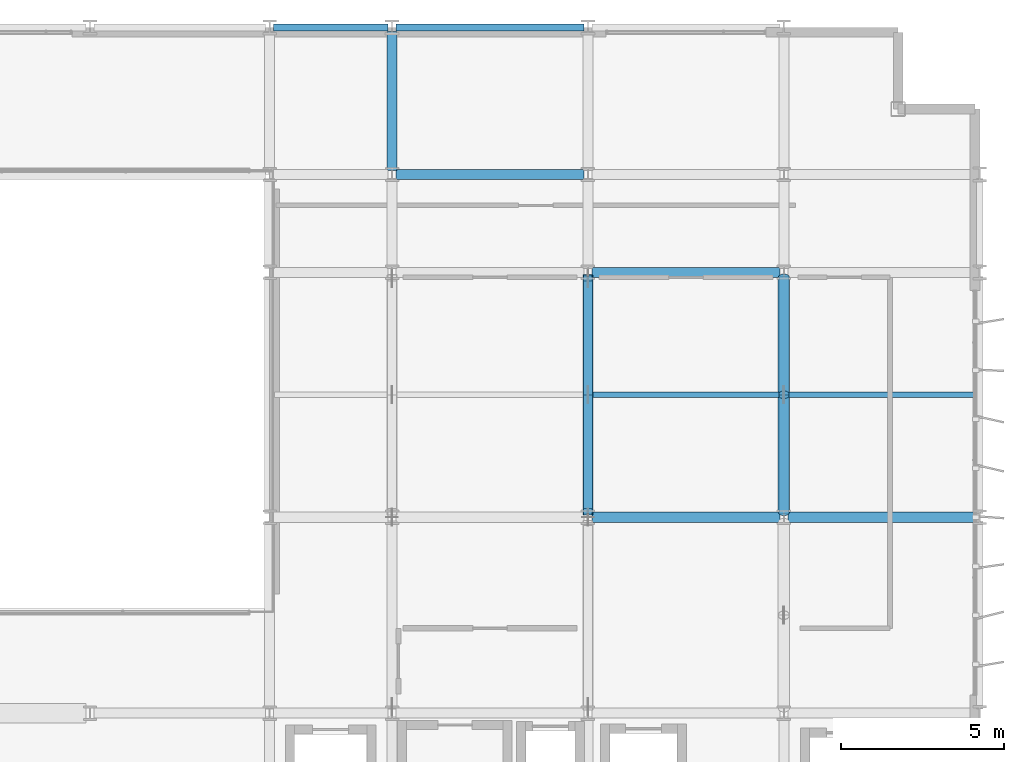
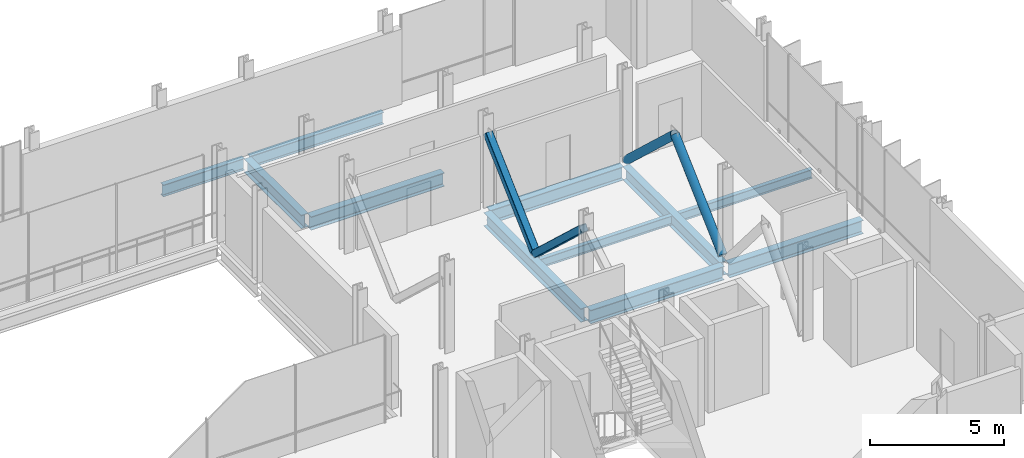
# One storey, part 20 of 32: 11 beams, 4 members.
"""IFC4 building model written with IfcOpenShell, lengths in metres."""

import ifcopenshell
import ifcopenshell.guid

model = None  # the IFC model being written
_history = None  # IfcOwnerHistory: only IFC2X3 demands one
_inside = {}  # id of a spatial element -> (the spatial element, [elements in it])
_under = {}  # id of a project, library or spatial element -> (it, [spatial elements below it])
_declared = {}  # id of a project -> (the project, [libraries it declares])
_typed = {}  # id of a type object -> (the type object, [elements of that type])
_made_of = {}  # id of a material, layer set ... -> (it, [elements and type objects made of it])


def new_model(schema):
    """Start an empty IFC model of exactly this schema.

    Asked for "IFC4X3", IfcOpenShell would pick the latest addendum, in which some entities
    have other attributes; the version numbers below select the first issue.
    IFC2X3 requires an IfcOwnerHistory on every rooted entity: one is made here for all.
    """
    global model, _history
    if schema == "IFC4X3":
        model = ifcopenshell.file(schema_version=(4, 3, 0, 0))
    else:
        model = ifcopenshell.file(schema=schema)
    _inside.clear()
    _under.clear()
    _declared.clear()
    _typed.clear()
    _made_of.clear()
    _history = None
    if model.schema == "IFC2X3":
        org = make("IfcOrganization", Name="unknown")
        user = make(
            "IfcPersonAndOrganization",
            ThePerson=make("IfcPerson", FamilyName="unknown"),
            TheOrganization=org,
        )
        app = make(
            "IfcApplication",
            ApplicationDeveloper=org,
            Version="unknown",
            ApplicationFullName="unknown",
            ApplicationIdentifier="unknown",
        )
        _history = make(
            "IfcOwnerHistory",
            OwningUser=user,
            OwningApplication=app,
            ChangeAction="ADDED",
            CreationDate=0,
        )
    return model


def make(cls, **values):
    """One entity of the class cls with the attributes given. An attribute that is None is left unset."""
    return model.create_entity(
        cls, **{name: value for name, value in values.items() if value is not None}
    )


def rooted(cls, **values):
    """An entity with a GlobalId (a new one), such as an element, a storey or a relation."""
    return make(cls, GlobalId=ifcopenshell.guid.new(), OwnerHistory=_history, **values)


def si_unit(unit_type, name, prefix=None):
    """IfcSIUnit, for example si_unit("LENGTHUNIT", "METRE", prefix="MILLI")."""
    return make("IfcSIUnit", UnitType=unit_type, Prefix=prefix, Name=name)


def assignment(units):
    """IfcUnitAssignment: the units of a project."""
    return None if units is None else make("IfcUnitAssignment", Units=units)


def point(xyz):
    """IfcCartesianPoint."""
    return None if xyz is None else make("IfcCartesianPoint", Coordinates=xyz)


def direction(xyz):
    """IfcDirection."""
    return None if xyz is None else make("IfcDirection", DirectionRatios=xyz)


def frame(location, z_axis=None, x_axis=None):
    """IfcAxis2Placement3D, a coordinate frame: its origin and axes. An axis left out is left unset."""
    return make(
        "IfcAxis2Placement3D",
        Location=point(location),
        Axis=direction(z_axis),
        RefDirection=direction(x_axis),
    )


def frame_2d(location, x_axis=None):
    """IfcAxis2Placement2D, a coordinate frame in the plane: its origin and x axis."""
    return make(
        "IfcAxis2Placement2D", Location=point(location), RefDirection=direction(x_axis)
    )


def origin():
    """The frame at (0, 0, 0) with its axes left unset."""
    return frame((0.0, 0.0, 0.0))


def origin_2d():
    """The frame at (0, 0) in the plane with its x axis left unset."""
    return frame_2d((0.0, 0.0))


def place(relative_to, where):
    """IfcLocalPlacement: puts the frame where relative to a parent placement (None: the world)."""
    return make(
        "IfcLocalPlacement", PlacementRelTo=relative_to, RelativePlacement=where
    )


def context(
    kind, dimensions, precision=None, world=None, true_north=None, identifier=None
):
    """IfcGeometricRepresentationContext, for example the 3D "Model" context."""
    return make(
        "IfcGeometricRepresentationContext",
        ContextIdentifier=identifier,
        ContextType=kind,
        CoordinateSpaceDimension=dimensions,
        Precision=precision,
        WorldCoordinateSystem=world,
        TrueNorth=true_north,
    )


def subcontext(parent, identifier, kind, view, scale=None):
    """IfcGeometricRepresentationSubContext, for example "Body" below "Model"."""
    return make(
        "IfcGeometricRepresentationSubContext",
        ContextIdentifier=identifier,
        ContextType=kind,
        ParentContext=parent,
        TargetScale=scale,
        TargetView=view,
    )


def project(units=None, contexts=None):
    """IfcProject with its units and contexts."""
    return rooted(
        "IfcProject",
        Name="project",
        RepresentationContexts=contexts,
        UnitsInContext=assignment(units),
    )


def spatial(cls, under=None, at=None, **own):
    """A site, building, storey or space (cls), placed at a placement, below another one or the project."""
    s = rooted(cls, ObjectPlacement=at, **own)
    if under is not None:
        _under.setdefault(under.id(), (under, []))[1].append(s)
    return s


def profile(cls, at=None, kind="AREA", **sizes):
    """A parametric profile (cls). Its sizes go by their IFC names, for example OverallWidth=200.0."""
    return make(cls, ProfileType=kind, Position=at, **sizes)


def hollow_rectangle(**sizes):
    """IfcRectangleHollowProfileDef."""
    return profile("IfcRectangleHollowProfileDef", **sizes)


def hollow_circle(**sizes):
    """IfcCircleHollowProfileDef."""
    return profile("IfcCircleHollowProfileDef", **sizes)


def i_section(**sizes):
    """IfcIShapeProfileDef."""
    return profile("IfcIShapeProfileDef", **sizes)


def extrude(swept, where, along, depth):
    """IfcExtrudedAreaSolid: the profile swept, set in the frame where, extruded along a direction by depth."""
    return make(
        "IfcExtrudedAreaSolid",
        SweptArea=swept,
        Position=where,
        ExtrudedDirection=direction(along),
        Depth=depth,
    )


def shape(context_of_items, identifier, shape_type, items):
    """IfcShapeRepresentation: the items that make up one representation, for example the "Body"."""
    return make(
        "IfcShapeRepresentation",
        ContextOfItems=context_of_items,
        RepresentationIdentifier=identifier,
        RepresentationType=shape_type,
        Items=items,
    )


def material(Name=None, Category=None):
    """IfcMaterial."""
    return make("IfcMaterial", Name=Name, Category=Category)


def material_profile(
    of_material, cross_section, Name=None, Category=None, Priority=None
):
    """IfcMaterialProfile: a cross section and its material."""
    return make(
        "IfcMaterialProfile",
        Name=Name,
        Material=of_material,
        Profile=cross_section,
        Priority=Priority,
        Category=Category,
    )


def profile_set(profiles, Name=None, composite=None):
    """IfcMaterialProfileSet."""
    return make(
        "IfcMaterialProfileSet",
        Name=Name,
        MaterialProfiles=profiles,
        CompositeProfile=composite,
    )


def made_of(thing, what):
    """Note that an element or type object is made of a material, layer set ...; save() writes the relation."""
    if what is not None:
        _made_of.setdefault(what.id(), (what, []))[1].append(thing)
    return thing


def type_object(cls, material=None, **own):
    """A type object (cls), such as IfcWallType, which elements share."""
    return made_of(rooted(cls, **own), material)


def element(
    cls,
    number,
    at=None,
    inside=None,
    cuts=None,
    type_object=None,
    material=None,
    context=None,
    identifier="Body",
    shape_type=None,
    held_by="IfcProductDefinitionShape",
    body=None,
    shapes=None,
    **own,
):
    """One element of the class cls, such as IfcWall. Its Tag is "e" and its number.

    at: its placement. inside: the storey or other place that contains it. cuts: it is an
    opening in that element (IfcRelVoidsElement). A single representation is given by context,
    identifier, shape_type and body (its items); several are given by shapes. held_by: the class
    of the entity that holds the representations. save() writes the other relations.
    """
    e = rooted(cls, Tag="e%d" % number, ObjectPlacement=at, **own)
    if body is not None:
        shapes = [shape(context, identifier, shape_type, body)]
    if shapes is not None:
        e.Representation = make(held_by, Representations=shapes)
    if inside is not None:
        _inside.setdefault(inside.id(), (inside, []))[1].append(e)
    if cuts is not None:
        rooted(
            "IfcRelVoidsElement", RelatingBuildingElement=cuts, RelatedOpeningElement=e
        )
    if type_object is not None:
        _typed.setdefault(type_object.id(), (type_object, []))[1].append(e)
    return made_of(e, material)


def aggregate(whole, parts):
    """IfcRelAggregates: a whole, such as a stair, and the parts it consists of."""
    return rooted("IfcRelAggregates", RelatingObject=whole, RelatedObjects=parts)


def save(model, path):
    """Write the relations noted so far, then the file.

    IfcRelAggregates (storeys below a building ...), IfcRelContainedInSpatialStructure (elements
    in a storey), IfcRelDefinesByType, IfcRelAssociatesMaterial and IfcRelDeclares: one each for
    every whole, place, type object, material and project.
    """
    for whole, parts in _under.values():
        aggregate(whole, parts)
    for where, things in _inside.values():
        rooted(
            "IfcRelContainedInSpatialStructure",
            RelatedElements=things,
            RelatingStructure=where,
        )
    for kind, things in _typed.values():
        rooted("IfcRelDefinesByType", RelatedObjects=things, RelatingType=kind)
    for what, things in _made_of.values():
        rooted("IfcRelAssociatesMaterial", RelatedObjects=things, RelatingMaterial=what)
    for by, libraries in _declared.values():
        rooted("IfcRelDeclares", RelatingContext=by, RelatedDefinitions=libraries)
    model.write(path)


model = new_model("IFC4")

# Units and contexts
model_context = context("Model", 3, precision=1e-05, world=origin(), true_north=direction((0.0, 1.0)))
body_context = subcontext(model_context, "Body", "Model", "MODEL_VIEW")
ifc_project = project(units=[si_unit("LENGTHUNIT", "METRE"), si_unit("AREAUNIT", "SQUARE_METRE"), si_unit("VOLUMEUNIT", "CUBIC_METRE"), si_unit("PLANEANGLEUNIT", "RADIAN"), si_unit("MASSUNIT", "GRAM", prefix="KILO")], contexts=[model_context])

# Site, building, storey
site_placement = place(None, origin())
site = spatial("IfcSite", under=ifc_project, at=site_placement, CompositionType="ELEMENT")
building_placement = place(site_placement, origin())
building = spatial("IfcBuilding", under=site, at=building_placement, Name="Brevholm Reach", CompositionType="ELEMENT")
storey_placement = place(building_placement, frame((0.0, 0.0, 96.199951171875)))
storey = spatial("IfcBuildingStorey", under=building, at=storey_placement, Name="L28", CompositionType="ELEMENT", Elevation=96.199951171875)

# Beams
ifc_material_1 = material(Name="Structural Steel S355J2", Category="steel")
ifc_material_profile_1 = material_profile(ifc_material_1, i_section(OverallWidth=0.177978515625, OverallDepth=0.406494140625, WebThickness=0.0078125, FlangeThickness=0.0126953125, FilletRadius=0.01025390625, at=origin_2d()), Name="UKB 406x178x60")
ifc_profile_set_1 = profile_set([ifc_material_profile_1], Name="Structural Steel S355J2")
beam_type_1 = type_object("IfcBeamType", Name="BM-B406", PredefinedType="BEAM", material=ifc_profile_set_1)
beam_1_placement = place(storey_placement, frame((48.153564453125, 19.75, -0.463134765625), z_axis=(1.0, 0.0, 0.0), x_axis=(0.0, 1.0, 0.0)))
element("IfcBeam", 1, at=beam_1_placement, inside=storey, type_object=beam_type_1, Name="L28 Composite Secondary Floor Beam", PredefinedType="BEAM", context=body_context, shape_type="SweptSolid", body=[
    extrude(i_section(OverallWidth=0.177978515625, OverallDepth=0.406494140625, WebThickness=0.0078125, FlangeThickness=0.0126953125, FilletRadius=0.01025390625, at=origin_2d()), origin(), (0.0, 0.0, 1.0), 5.69287109375),
])
beam_2_placement = place(storey_placement, frame((54.153564453125, 19.75, -0.463134765625), z_axis=(1.0, 0.0, 0.0), x_axis=(0.0, 1.0, 0.0)))
element("IfcBeam", 2, at=beam_2_placement, inside=storey, type_object=beam_type_1, Name="L28 Composite Secondary Floor Beam", PredefinedType="BEAM", context=body_context, shape_type="SweptSolid", body=[
    extrude(i_section(OverallWidth=0.177978515625, OverallDepth=0.406494140625, WebThickness=0.0078125, FlangeThickness=0.0126953125, FilletRadius=0.01025390625, at=origin_2d()), origin(), (0.0, 0.0, 1.0), 5.740966796875),
])
ifc_material_2 = material(Name="Structural Steel S355J2", Category="steel")
ifc_material_profile_2 = material_profile(ifc_material_2, i_section(OverallWidth=0.210693359375, OverallDepth=0.53955078125, WebThickness=0.01171875, FlangeThickness=0.018798828125, FilletRadius=0.0126953125, at=origin_2d()), Name="UKB 533x210x109")
ifc_profile_set_2 = profile_set([ifc_material_profile_2], Name="Structural Steel S355J2")
beam_type_2 = type_object("IfcBeamType", Name="BM-SP539", PredefinedType="SPANDREL", material=ifc_profile_set_2)
beam_3_placement = place(storey_placement, frame((38.3701171875, 31.0, -0.52978515625), z_axis=(1.0, 0.0, 0.0), x_axis=(0.0, 1.0, 0.0)))
element("IfcBeam", 3, at=beam_3_placement, inside=storey, type_object=beam_type_2, Name="L28 SP-01B Framing Beam", PredefinedType="SPANDREL", context=body_context, shape_type="SweptSolid", body=[
    extrude(i_section(OverallWidth=0.210693359375, OverallDepth=0.53955078125, WebThickness=0.01171875, FlangeThickness=0.018798828125, FilletRadius=0.0126953125, at=origin_2d()), origin(), (0.0, 0.0, 1.0), 3.509765625),
])
beam_4_placement = place(storey_placement, frame((42.1201171875, 31.0, -0.52978515625), z_axis=(1.0, 0.0, 0.0), x_axis=(0.0, 1.0, 0.0)))
element("IfcBeam", 4, at=beam_4_placement, inside=storey, type_object=beam_type_2, Name="L28 SP-01B Framing Beam", PredefinedType="SPANDREL", context=body_context, shape_type="SweptSolid", body=[
    extrude(i_section(OverallWidth=0.210693359375, OverallDepth=0.53955078125, WebThickness=0.01171875, FlangeThickness=0.018798828125, FilletRadius=0.0126953125, at=origin_2d()), origin(), (0.0, 0.0, 1.0), 5.759765625),
])
ifc_material_3 = material(Name="Structural Steel S355J2", Category="steel")
ifc_material_profile_3 = material_profile(ifc_material_3, i_section(OverallWidth=0.30712890625, OverallDepth=0.6201171875, WebThickness=0.01416015625, FlangeThickness=0.023681640625, FilletRadius=0.0166015625, at=origin_2d()), Name="UKB 610x305x179")
ifc_profile_set_3 = profile_set([ifc_material_profile_3], Name="Structural Steel S355J2")
beam_type_3 = type_object("IfcBeamType", Name="BM-UKB610H", PredefinedType="USERDEFINED", material=ifc_profile_set_3)
for number, where, z_axis, x_axis, name in (
    (5, (48.1201171875, 16.0, -0.570068359375), (1.0, 0.0, 0.0), (0.0, 1.0, 0.0), "L28 G-06 Framing Beam"),
    (6, (54.1201171875, 16.0, -0.570068359375), (1.0, 0.0, 0.0), (0.0, 1.0, 0.0), "L28 G-06 Framing Beam"),
    (7, (48.1201171875, 23.5, -0.570068359375), (1.0, 0.0, 0.0), (0.0, 1.0, 0.0), "L28 G-06 Framing Beam"),
    (8, (42.1201171875, 26.5, -0.570068359375), (1.0, 0.0, 0.0), (0.0, 1.0, 0.0), "L28 G-06 Framing Beam"),
):
    element("IfcBeam", number, at=place(storey_placement, frame(where, z_axis=z_axis, x_axis=x_axis)), inside=storey, type_object=beam_type_3, Name=name, ObjectType="GIRDER", PredefinedType="USERDEFINED", context=body_context, shape_type="SweptSolid", body=[
        extrude(i_section(OverallWidth=0.30712890625, OverallDepth=0.6201171875, WebThickness=0.01416015625, FlangeThickness=0.023681640625, FilletRadius=0.0166015625, at=origin_2d()), origin(), (0.0, 0.0, 1.0), 5.759765625),
    ])
beam_5_placement = place(storey_placement, frame((42.0, 26.6201171875, -0.570068359375), z_axis=(0.0, 1.0, 0.0), x_axis=(-1.0, 0.0, 0.0)))
element("IfcBeam", 9, at=beam_5_placement, inside=storey, type_object=beam_type_3, Name="L28 G-06 Framing Beam", ObjectType="GIRDER", PredefinedType="USERDEFINED", context=body_context, shape_type="SweptSolid", body=[
    extrude(i_section(OverallWidth=0.30712890625, OverallDepth=0.6201171875, WebThickness=0.01416015625, FlangeThickness=0.023681640625, FilletRadius=0.0166015625, at=origin_2d()), origin(), (0.0, 0.0, 1.0), 4.259765625),
])
for number, where, z_axis, x_axis, name in (
    (10, (48.0, 16.1201171875, -0.570068359375), (0.0, 1.0, 0.0), (-1.0, 0.0, 0.0), "L28 G-06 Framing Beam"),
    (11, (54.0, 16.1201171875, -0.570068359375), (0.0, 1.0, 0.0), (-1.0, 0.0, 0.0), "L28 G-06 Framing Beam"),
):
    element("IfcBeam", number, at=place(storey_placement, frame(where, z_axis=z_axis, x_axis=x_axis)), inside=storey, type_object=beam_type_3, Name=name, ObjectType="GIRDER", PredefinedType="USERDEFINED", context=body_context, shape_type="SweptSolid", body=[
        extrude(i_section(OverallWidth=0.30712890625, OverallDepth=0.6201171875, WebThickness=0.01416015625, FlangeThickness=0.023681640625, FilletRadius=0.0166015625, at=origin_2d()), origin(), (0.0, 0.0, 1.0), 7.259765625),
    ])

# Members
ifc_material_4 = material(Name="Structural Steel S355J2H", Category="steel")
ifc_material_profile_4 = material_profile(ifc_material_4, hollow_circle(Radius=0.177734375, WallThickness=0.012451171875, at=origin_2d()), Name="CHS 355.6x12.5")
ifc_profile_set_4 = profile_set([ifc_material_profile_4], Name="Structural Steel S355J2H")
member_type_1 = type_object("IfcMemberType", Name="MEM-BB-CHS355", PredefinedType="BRACE", material=ifc_profile_set_4)
for number, where, z_axis, x_axis, name in (
    (12, (54.0, 16.169921875, 0.02001953125), (0.0, 0.731936034161, 0.681373349858), (-1.0, 0.0, 0.0), "L28 Belt Truss Brace BB-04A"),
    (13, (54.0, 19.75, 3.352783203125), (0.0, 0.731936034161, -0.681373349858), (-1.0, 0.0, 0.0), "L28 Belt Truss Brace BB-04B"),
):
    element("IfcMember", number, at=place(storey_placement, frame(where, z_axis=z_axis, x_axis=x_axis)), inside=storey, type_object=member_type_1, Name=name, PredefinedType="BRACE", context=body_context, shape_type="SweptSolid", body=[
        extrude(hollow_circle(Radius=0.177734375, WallThickness=0.012451171875, at=origin_2d()), origin(), (0.0, 0.0, 1.0), 4.891357421875),
    ])
ifc_material_5 = material(Name="Structural Steel S460NH", Category="steel")
ifc_material_profile_5 = material_profile(ifc_material_5, hollow_rectangle(XDim=0.300048828125, YDim=0.300048828125, WallThickness=0.012451171875, InnerFilletRadius=0.011962890625, OuterFilletRadius=0.02392578125, at=origin_2d()), Name="SHS 300x300x12.5")
ifc_profile_set_5 = profile_set([ifc_material_profile_5], Name="Structural Steel S460NH")
member_type_2 = type_object("IfcMemberType", Name="MEM-OB-SHS300", PredefinedType="BRACE", material=ifc_profile_set_5)
for number, where, z_axis, x_axis, name in (
    (14, (48.0, 16.169921875, 3.352783203125), (0.0, 0.731936034161, -0.681373349858), (-1.0, 0.0, 0.0), "L28 Outrigger Truss Diagonal X48.2"),
    (15, (48.0, 19.75, 0.02001953125), (0.0, 0.731936034161, 0.681373349858), (-1.0, 0.0, 0.0), "L28 Outrigger Truss Diagonal X48.3"),
):
    element("IfcMember", number, at=place(storey_placement, frame(where, z_axis=z_axis, x_axis=x_axis)), inside=storey, type_object=member_type_2, Name=name, PredefinedType="BRACE", context=body_context, shape_type="SweptSolid", body=[
        extrude(hollow_rectangle(XDim=0.300048828125, YDim=0.300048828125, WallThickness=0.012451171875, InnerFilletRadius=0.011962890625, OuterFilletRadius=0.02392578125, at=origin_2d()), origin(), (0.0, 0.0, 1.0), 4.891357421875),
    ])

save(model, "model.ifc")
